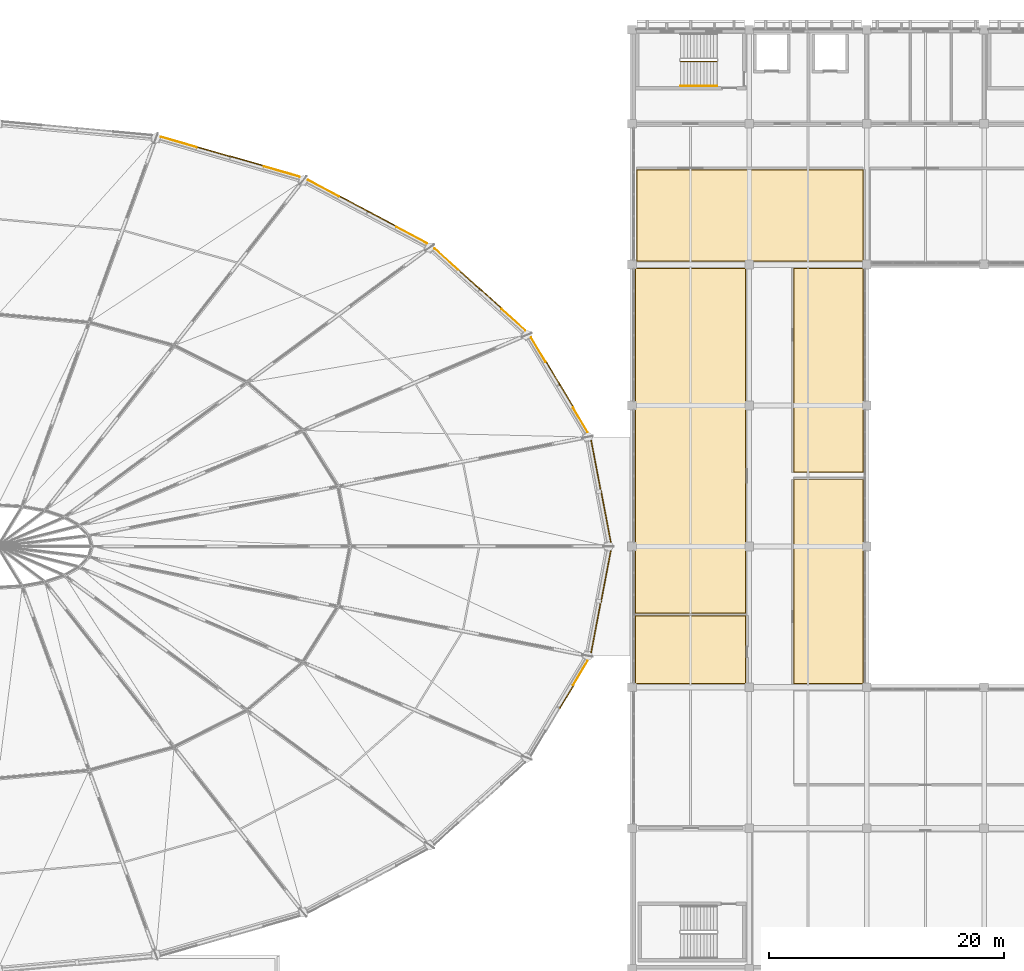
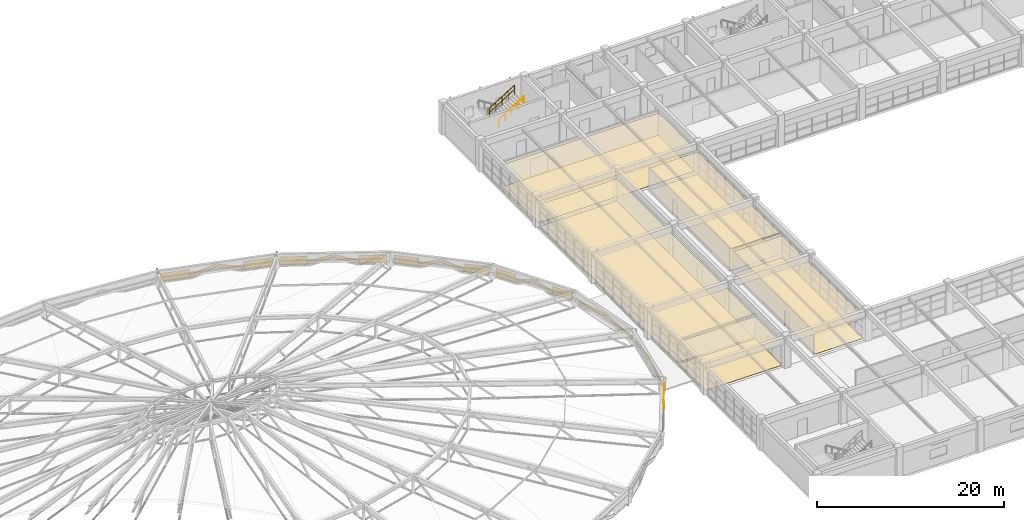
# One storey, part 78 of 83: 32 coverings, 2 railings.
"""IFC4 building model written with IfcOpenShell, lengths in metres."""

import ifcopenshell
import ifcopenshell.guid

model = None  # the IFC model being written
_history = None  # IfcOwnerHistory: only IFC2X3 demands one
_inside = {}  # id of a spatial element -> (the spatial element, [elements in it])
_under = {}  # id of a project, library or spatial element -> (it, [spatial elements below it])
_declared = {}  # id of a project -> (the project, [libraries it declares])
_typed = {}  # id of a type object -> (the type object, [elements of that type])
_made_of = {}  # id of a material, layer set ... -> (it, [elements and type objects made of it])


def new_model(schema):
    """Start an empty IFC model of exactly this schema.

    Asked for "IFC4X3", IfcOpenShell would pick the latest addendum, in which some entities
    have other attributes; the version numbers below select the first issue.
    IFC2X3 requires an IfcOwnerHistory on every rooted entity: one is made here for all.
    """
    global model, _history
    if schema == "IFC4X3":
        model = ifcopenshell.file(schema_version=(4, 3, 0, 0))
    else:
        model = ifcopenshell.file(schema=schema)
    _inside.clear()
    _under.clear()
    _declared.clear()
    _typed.clear()
    _made_of.clear()
    _history = None
    if model.schema == "IFC2X3":
        org = make("IfcOrganization", Name="unknown")
        user = make(
            "IfcPersonAndOrganization",
            ThePerson=make("IfcPerson", FamilyName="unknown"),
            TheOrganization=org,
        )
        app = make(
            "IfcApplication",
            ApplicationDeveloper=org,
            Version="unknown",
            ApplicationFullName="unknown",
            ApplicationIdentifier="unknown",
        )
        _history = make(
            "IfcOwnerHistory",
            OwningUser=user,
            OwningApplication=app,
            ChangeAction="ADDED",
            CreationDate=0,
        )
    return model


def make(cls, **values):
    """One entity of the class cls with the attributes given. An attribute that is None is left unset."""
    return model.create_entity(
        cls, **{name: value for name, value in values.items() if value is not None}
    )


def rooted(cls, **values):
    """An entity with a GlobalId (a new one), such as an element, a storey or a relation."""
    return make(cls, GlobalId=ifcopenshell.guid.new(), OwnerHistory=_history, **values)


def si_unit(unit_type, name, prefix=None):
    """IfcSIUnit, for example si_unit("LENGTHUNIT", "METRE", prefix="MILLI")."""
    return make("IfcSIUnit", UnitType=unit_type, Prefix=prefix, Name=name)


def assignment(units):
    """IfcUnitAssignment: the units of a project."""
    return None if units is None else make("IfcUnitAssignment", Units=units)


def point(xyz):
    """IfcCartesianPoint."""
    return None if xyz is None else make("IfcCartesianPoint", Coordinates=xyz)


def direction(xyz):
    """IfcDirection."""
    return None if xyz is None else make("IfcDirection", DirectionRatios=xyz)


def frame(location, z_axis=None, x_axis=None):
    """IfcAxis2Placement3D, a coordinate frame: its origin and axes. An axis left out is left unset."""
    return make(
        "IfcAxis2Placement3D",
        Location=point(location),
        Axis=direction(z_axis),
        RefDirection=direction(x_axis),
    )


def frame_2d(location, x_axis=None):
    """IfcAxis2Placement2D, a coordinate frame in the plane: its origin and x axis."""
    return make(
        "IfcAxis2Placement2D", Location=point(location), RefDirection=direction(x_axis)
    )


def origin():
    """The frame at (0, 0, 0) with its axes left unset."""
    return frame((0.0, 0.0, 0.0))


def origin_2d():
    """The frame at (0, 0) in the plane with its x axis left unset."""
    return frame_2d((0.0, 0.0))


def place(relative_to, where):
    """IfcLocalPlacement: puts the frame where relative to a parent placement (None: the world)."""
    return make(
        "IfcLocalPlacement", PlacementRelTo=relative_to, RelativePlacement=where
    )


def context(
    kind, dimensions, precision=None, world=None, true_north=None, identifier=None
):
    """IfcGeometricRepresentationContext, for example the 3D "Model" context."""
    return make(
        "IfcGeometricRepresentationContext",
        ContextIdentifier=identifier,
        ContextType=kind,
        CoordinateSpaceDimension=dimensions,
        Precision=precision,
        WorldCoordinateSystem=world,
        TrueNorth=true_north,
    )


def subcontext(parent, identifier, kind, view, scale=None):
    """IfcGeometricRepresentationSubContext, for example "Body" below "Model"."""
    return make(
        "IfcGeometricRepresentationSubContext",
        ContextIdentifier=identifier,
        ContextType=kind,
        ParentContext=parent,
        TargetScale=scale,
        TargetView=view,
    )


def project(units=None, contexts=None):
    """IfcProject with its units and contexts."""
    return rooted(
        "IfcProject",
        Name="project",
        RepresentationContexts=contexts,
        UnitsInContext=assignment(units),
    )


def spatial(cls, under=None, at=None, **own):
    """A site, building, storey or space (cls), placed at a placement, below another one or the project."""
    s = rooted(cls, ObjectPlacement=at, **own)
    if under is not None:
        _under.setdefault(under.id(), (under, []))[1].append(s)
    return s


def polyline(points):
    """IfcPolyline through the points."""
    return make("IfcPolyline", Points=[point(p) for p in points])


def profile(cls, at=None, kind="AREA", **sizes):
    """A parametric profile (cls). Its sizes go by their IFC names, for example OverallWidth=200.0."""
    return make(cls, ProfileType=kind, Position=at, **sizes)


def rectangle(**sizes):
    """IfcRectangleProfileDef."""
    return profile("IfcRectangleProfileDef", **sizes)


def circle(**sizes):
    """IfcCircleProfileDef."""
    return profile("IfcCircleProfileDef", **sizes)


def outline(outer, holes=None, kind="AREA"):
    """IfcArbitraryClosedProfileDef: a profile drawn as a closed curve; with holes, ...WithVoids."""
    if holes is None:
        return make("IfcArbitraryClosedProfileDef", ProfileType=kind, OuterCurve=outer)
    return make(
        "IfcArbitraryProfileDefWithVoids",
        ProfileType=kind,
        OuterCurve=outer,
        InnerCurves=holes,
    )


def extrude(swept, where, along, depth):
    """IfcExtrudedAreaSolid: the profile swept, set in the frame where, extruded along a direction by depth."""
    return make(
        "IfcExtrudedAreaSolid",
        SweptArea=swept,
        Position=where,
        ExtrudedDirection=direction(along),
        Depth=depth,
    )


def shape(context_of_items, identifier, shape_type, items):
    """IfcShapeRepresentation: the items that make up one representation, for example the "Body"."""
    return make(
        "IfcShapeRepresentation",
        ContextOfItems=context_of_items,
        RepresentationIdentifier=identifier,
        RepresentationType=shape_type,
        Items=items,
    )


def material(Name=None, Category=None):
    """IfcMaterial."""
    return make("IfcMaterial", Name=Name, Category=Category)


def layer(
    of_material, thickness, ventilated=None, Name=None, Category=None, Priority=None
):
    """IfcMaterialLayer: one layer of a wall or slab, of a material (None: an air gap)."""
    return make(
        "IfcMaterialLayer",
        Material=of_material,
        LayerThickness=thickness,
        IsVentilated=ventilated,
        Name=Name,
        Category=Category,
        Priority=Priority,
    )


def layer_set(layers, Name=None):
    """IfcMaterialLayerSet."""
    return make("IfcMaterialLayerSet", MaterialLayers=layers, LayerSetName=Name)


def made_of(thing, what):
    """Note that an element or type object is made of a material, layer set ...; save() writes the relation."""
    if what is not None:
        _made_of.setdefault(what.id(), (what, []))[1].append(thing)
    return thing


def type_object(cls, material=None, **own):
    """A type object (cls), such as IfcWallType, which elements share."""
    return made_of(rooted(cls, **own), material)


def element(
    cls,
    number,
    at=None,
    inside=None,
    cuts=None,
    type_object=None,
    material=None,
    context=None,
    identifier="Body",
    shape_type=None,
    held_by="IfcProductDefinitionShape",
    body=None,
    shapes=None,
    **own,
):
    """One element of the class cls, such as IfcWall. Its Tag is "e" and its number.

    at: its placement. inside: the storey or other place that contains it. cuts: it is an
    opening in that element (IfcRelVoidsElement). A single representation is given by context,
    identifier, shape_type and body (its items); several are given by shapes. held_by: the class
    of the entity that holds the representations. save() writes the other relations.
    """
    e = rooted(cls, Tag="e%d" % number, ObjectPlacement=at, **own)
    if body is not None:
        shapes = [shape(context, identifier, shape_type, body)]
    if shapes is not None:
        e.Representation = make(held_by, Representations=shapes)
    if inside is not None:
        _inside.setdefault(inside.id(), (inside, []))[1].append(e)
    if cuts is not None:
        rooted(
            "IfcRelVoidsElement", RelatingBuildingElement=cuts, RelatedOpeningElement=e
        )
    if type_object is not None:
        _typed.setdefault(type_object.id(), (type_object, []))[1].append(e)
    return made_of(e, material)


def aggregate(whole, parts):
    """IfcRelAggregates: a whole, such as a stair, and the parts it consists of."""
    return rooted("IfcRelAggregates", RelatingObject=whole, RelatedObjects=parts)


def save(model, path):
    """Write the relations noted so far, then the file.

    IfcRelAggregates (storeys below a building ...), IfcRelContainedInSpatialStructure (elements
    in a storey), IfcRelDefinesByType, IfcRelAssociatesMaterial and IfcRelDeclares: one each for
    every whole, place, type object, material and project.
    """
    for whole, parts in _under.values():
        aggregate(whole, parts)
    for where, things in _inside.values():
        rooted(
            "IfcRelContainedInSpatialStructure",
            RelatedElements=things,
            RelatingStructure=where,
        )
    for kind, things in _typed.values():
        rooted("IfcRelDefinesByType", RelatedObjects=things, RelatingType=kind)
    for what, things in _made_of.values():
        rooted("IfcRelAssociatesMaterial", RelatedObjects=things, RelatingMaterial=what)
    for by, libraries in _declared.values():
        rooted("IfcRelDeclares", RelatingContext=by, RelatedDefinitions=libraries)
    model.write(path)


model = new_model("IFC4")

# Units and contexts
model_context = context("Model", 3, precision=1e-05, world=origin(), true_north=direction((0.0, 1.0)))
body_context = subcontext(model_context, "Body", "Model", "MODEL_VIEW")
ifc_project = project(units=[si_unit("LENGTHUNIT", "METRE"), si_unit("AREAUNIT", "SQUARE_METRE"), si_unit("VOLUMEUNIT", "CUBIC_METRE"), si_unit("PLANEANGLEUNIT", "RADIAN"), si_unit("MASSUNIT", "GRAM", prefix="KILO")], contexts=[model_context])

# Site, building, storey
site_placement = place(None, origin())
site = spatial("IfcSite", under=ifc_project, at=site_placement, CompositionType="ELEMENT")
building_placement = place(site_placement, origin())
building = spatial("IfcBuilding", under=site, at=building_placement, Name="Kivolera Central Railway Station", CompositionType="ELEMENT")
storey_placement = place(building_placement, frame((0.0, 0.0, 14.39990234375)))
storey = spatial("IfcBuildingStorey", under=building, at=storey_placement, Name="L03", CompositionType="ELEMENT", Elevation=14.39990234375)

# Coverings
ifc_material_1 = material(Name="Mineral fibre acoustic tile")
ifc_layer_1 = layer(ifc_material_1, 0.02001953125, Name="Mineral fibre acoustic tile")
ifc_layer_set_1 = layer_set([ifc_layer_1], Name="Mineral fibre acoustic tile")
covering_type_1 = type_object("IfcCoveringType", Name="COV-CEIL-20", PredefinedType="CEILING", material=ifc_layer_set_1)
covering_1_placement = place(storey_placement, frame((0.0, 0.0, 2.85009765625)))
element("IfcCovering", 1, at=covering_1_placement, inside=storey, type_object=covering_type_1, Name="L03 Civic Refreshment Pantry Cafe Acoustic Ceiling", PredefinedType="CEILING", context=body_context, shape_type="SweptSolid", body=[
    extrude(outline(polyline([(118.280029296875, 78.280029296875), (127.719970703125, 78.280029296875), (127.719970703125, 84.1201171875), (118.280029296875, 84.1201171875), (118.280029296875, 78.280029296875)])), origin(), (0.0, 0.0, 1.0), 0.02001953125),
])
ifc_material_2 = material(Name="Hardwood mvule timber", Category="wood")
ifc_layer_2 = layer(ifc_material_2, 0.02490234375, Name="Hardwood mvule timber")
ifc_layer_set_2 = layer_set([ifc_layer_2], Name="Hardwood mvule timber")
covering_type_2 = type_object("IfcCoveringType", Name="COV-CEIL-25", PredefinedType="CEILING", material=ifc_layer_set_2)
covering_2_placement = place(storey_placement, frame((0.0, 0.0, 2.85009765625)))
element("IfcCovering", 2, at=covering_2_placement, inside=storey, type_object=covering_type_2, Name="L03 Kivolera Civic Community Meeting Room Acoustic Ceiling", PredefinedType="CEILING", context=body_context, shape_type="SweptSolid", body=[
    extrude(outline(polyline([(118.3798828125, 114.280029296875), (137.719970703125, 114.280029296875), (137.719970703125, 122.1201171875), (118.3798828125, 122.1201171875), (118.3798828125, 114.280029296875)])), origin(), (0.0, 0.0, 1.0), 0.02490234375),
])
covering_3_placement = place(storey_placement, frame((0.0, 0.0, 2.85009765625)))
element("IfcCovering", 3, at=covering_3_placement, inside=storey, type_object=covering_type_2, Name="L03 Community Workshop Studio Acoustic Ceiling", PredefinedType="CEILING", context=body_context, shape_type="SweptSolid", body=[
    extrude(outline(polyline([(131.780029296875, 78.280029296875), (137.719970703125, 78.280029296875), (137.719970703125, 95.719970703125), (131.780029296875, 95.719970703125), (131.780029296875, 78.280029296875)])), origin(), (0.0, 0.0, 1.0), 0.02490234375),
])
ifc_layer_3 = layer(ifc_material_1, 0.030029296875, Name="Mineral fibre acoustic tile")
ifc_layer_set_3 = layer_set([ifc_layer_3], Name="Mineral fibre acoustic tile")
covering_type_3 = type_object("IfcCoveringType", Name="COV-CEIL-30", PredefinedType="CEILING", material=ifc_layer_set_3)
covering_4_placement = place(storey_placement, frame((0.0, 0.0, 2.85009765625)))
element("IfcCovering", 4, at=covering_4_placement, inside=storey, type_object=covering_type_3, Name="L03 Passenger Quiet Reading Lounge Acoustic Ceiling", PredefinedType="CEILING", context=body_context, shape_type="SweptSolid", body=[
    extrude(outline(polyline([(118.280029296875, 84.280029296875), (127.719970703125, 84.280029296875), (127.719970703125, 113.719970703125), (118.280029296875, 113.719970703125), (118.280029296875, 84.280029296875)])), origin(), (0.0, 0.0, 1.0), 0.030029296875),
])
covering_5_placement = place(storey_placement, frame((0.0, 0.0, 2.85009765625)))
element("IfcCovering", 5, at=covering_5_placement, inside=storey, type_object=covering_type_3, Name="L03 Urban Mobility Seminar Classroom Acoustic Ceiling", PredefinedType="CEILING", context=body_context, shape_type="SweptSolid", body=[
    extrude(outline(polyline([(131.780029296875, 96.280029296875), (137.719970703125, 96.280029296875), (137.719970703125, 113.719970703125), (131.780029296875, 113.719970703125), (131.780029296875, 96.280029296875)])), origin(), (0.0, 0.0, 1.0), 0.030029296875),
])
ifc_material_3 = material(Name="Precast concrete C40/50", Category="concrete")
ifc_layer_4 = layer(ifc_material_3, 0.090087890625, Name="Precast concrete C40/50")
ifc_layer_set_4 = layer_set([ifc_layer_4], Name="Precast concrete C40/50")
covering_type_4 = type_object("IfcCoveringType", Name="COV-CLAUSTRA-90", PredefinedType="CLADDING", material=ifc_layer_set_4)
for number, where, z_axis, x_axis, name in (
    (6, (115.778076171875, 92.531005859375, 0.59814453125), (-0.184568159046, 0.970108248243, 0.157558184039), (0.982390210999, 0.18684077, 0.0), "Oval Lantern Arch Spandrel Extrados Trim 01.1"),
    (7, (114.950927734375, 96.881103515625, 0.59814453125), (-0.184568159046, 0.970108248243, -0.157558184039), (0.982390210999, 0.18684077, 0.0), "Oval Lantern Arch Spandrel Extrados Trim 01.2"),
):
    element("IfcCovering", number, at=place(storey_placement, frame(where, z_axis=z_axis, x_axis=x_axis)), inside=storey, type_object=covering_type_4, Name=name, PredefinedType="CLADDING", context=body_context, shape_type="SweptSolid", body=[
        extrude(rectangle(XDim=0.090087890625, YDim=0.3798828125, at=origin_2d()), frame((0.0, 0.0, -2.2216796875)), (0.0, 0.0, 1.0), 4.443115234375),
    ])
for number, where, z_axis, x_axis, name in (
    (8, (112.4541015625, 102.779052734375, 0.731201171875), (-0.477101957855, 0.797089306757, 0.370165312887), (0.858137550629, 0.513419851778, 0.0), "Oval Lantern Arch Spandrel Extrados Trim 02.3"),
    (9, (111.2451171875, 104.800048828125, 0.731201171875), (-0.476784191777, 0.797245697627, -0.370237939827), (0.858137550629, 0.513419851778, 0.0), "Oval Lantern Arch Spandrel Extrados Trim 02.4"),
):
    element("IfcCovering", number, at=place(storey_placement, frame(where, z_axis=z_axis, x_axis=x_axis)), inside=storey, type_object=covering_type_4, Name=name, PredefinedType="CLADDING", context=body_context, shape_type="SweptSolid", body=[
        extrude(rectangle(XDim=0.090087890625, YDim=0.3798828125, at=origin_2d()), frame((0.0, 0.0, -1.21533203125)), (0.0, 0.0, 1.0), 2.430908203125),
    ])
for number, where, z_axis, x_axis, name in (
    (10, (106.033935546875, 111.050048828125, 0.732177734375), (-0.698689607825, 0.630212758842, 0.338621780915), (0.669922245859, 0.742431265844, 0.0), "Oval Lantern Arch Spandrel Extrados Trim 03.3"),
    (11, (104.111083984375, 112.783935546875, 0.732177734375), (-0.698689607825, 0.630212758842, -0.338621780915), (0.669922245859, 0.742431265844, 0.0), "Oval Lantern Arch Spandrel Extrados Trim 03.4"),
):
    element("IfcCovering", number, at=place(storey_placement, frame(where, z_axis=z_axis, x_axis=x_axis)), inside=storey, type_object=covering_type_4, Name=name, PredefinedType="CLADDING", context=body_context, shape_type="SweptSolid", body=[
        extrude(rectangle(XDim=0.090087890625, YDim=0.3798828125, at=origin_2d()), frame((0.0, 0.0, -1.3291015625)), (0.0, 0.0, 1.0), 2.657958984375),
    ])
for number, where, z_axis, x_axis, name in (
    (12, (96.757080078125, 117.8759765625, 0.734130859375), (-0.839601563438, 0.445833602232, 0.310325013162), (0.469119253064, 0.88313482912, 0.0), "Oval Lantern Arch Spandrel Extrados Trim 04.3"),
    (13, (94.251953125, 119.20703125, 0.734130859375), (-0.839370630004, 0.446238946002, -0.310367119002), (0.469119253064, 0.88313482912, 0.0), "Oval Lantern Arch Spandrel Extrados Trim 04.4"),
):
    element("IfcCovering", number, at=place(storey_placement, frame(where, z_axis=z_axis, x_axis=x_axis)), inside=storey, type_object=covering_type_4, Name=name, PredefinedType="CLADDING", context=body_context, shape_type="SweptSolid", body=[
        extrude(rectangle(XDim=0.090087890625, YDim=0.3798828125, at=origin_2d()), frame((0.0, 0.0, -1.449951171875)), (0.0, 0.0, 1.0), 2.89990234375),
    ])
for number, where, z_axis, x_axis, name in (
    (14, (85.260009765625, 122.801025390625, 0.734130859375), (-0.919713439261, 0.263698583075, 0.290844025083), (0.275632123108, 0.961263196378, 0.0), "Oval Lantern Arch Spandrel Extrados Trim 05.3"),
    (15, (82.341064453125, 123.637939453125, 0.734130859375), (-0.919713439261, 0.263698583075, -0.290844025083), (0.275632123108, 0.961263196378, 0.0), "Oval Lantern Arch Spandrel Extrados Trim 05.4"),
):
    element("IfcCovering", number, at=place(storey_placement, frame(where, z_axis=z_axis, x_axis=x_axis)), inside=storey, type_object=covering_type_4, Name=name, PredefinedType="CLADDING", context=body_context, shape_type="SweptSolid", body=[
        extrude(rectangle(XDim=0.090087890625, YDim=0.3798828125, at=origin_2d()), frame((0.0, 0.0, -1.546875)), (0.0, 0.0, 1.0), 3.093994140625),
    ])
covering_6_placement = place(storey_placement, frame((112.4541015625, 77.220947265625, 0.731201171875), z_axis=(0.477101957855, 0.797089306757, -0.370165312887), x_axis=(0.858137550629, -0.513419851778, 0.0)))
element("IfcCovering", 16, at=covering_6_placement, inside=storey, type_object=covering_type_4, Name="Oval Lantern Arch Spandrel Extrados Trim 23.4", PredefinedType="CLADDING", context=body_context, shape_type="SweptSolid", body=[
    extrude(rectangle(XDim=0.090087890625, YDim=0.3798828125, at=origin_2d()), frame((0.0, 0.0, -1.21533203125)), (0.0, 0.0, 1.0), 2.430908203125),
])
for number, where, z_axis, x_axis, name in (
    (17, (114.950927734375, 83.118896484375, 0.59814453125), (0.184568159046, 0.970108248243, 0.157558184039), (0.982390210999, -0.18684077, 0.0), "Oval Lantern Arch Spandrel Extrados Trim 24.1"),
    (18, (115.778076171875, 87.468994140625, 0.59814453125), (0.184568159046, 0.970108248243, -0.157558184039), (0.982390210999, -0.18684077, 0.0), "Oval Lantern Arch Spandrel Extrados Trim 24.2"),
):
    element("IfcCovering", number, at=place(storey_placement, frame(where, z_axis=z_axis, x_axis=x_axis)), inside=storey, type_object=covering_type_4, Name=name, PredefinedType="CLADDING", context=body_context, shape_type="SweptSolid", body=[
        extrude(rectangle(XDim=0.090087890625, YDim=0.3798828125, at=origin_2d()), frame((0.0, 0.0, -2.2216796875)), (0.0, 0.0, 1.0), 4.443115234375),
    ])
ifc_material_4 = material(Name="Terracotta clay tile", Category="masonry")
ifc_layer_5 = layer(ifc_material_4, 0.02197265625, Name="Terracotta clay tile")
ifc_layer_set_5 = layer_set([ifc_layer_5], Name="Terracotta clay tile")
covering_type_5 = type_object("IfcCoveringType", Name="COV-FLR-22", PredefinedType="FLOORING", material=ifc_layer_set_5)
covering_7_placement = place(storey_placement, origin())
element("IfcCovering", 19, at=covering_7_placement, inside=storey, type_object=covering_type_5, Name="L03 Kivolera Civic Community Meeting Room Floor Finish", PredefinedType="FLOORING", context=body_context, shape_type="SweptSolid", body=[
    extrude(outline(polyline([(118.419921875, 114.320068359375), (137.679931640625, 114.320068359375), (137.679931640625, 122.080078125), (118.419921875, 122.080078125), (118.419921875, 114.320068359375)])), origin(), (0.0, 0.0, 1.0), 0.022216796875),
])
covering_8_placement = place(storey_placement, origin())
element("IfcCovering", 20, at=covering_8_placement, inside=storey, type_object=covering_type_5, Name="L03 Passenger Quiet Reading Lounge Floor Finish", PredefinedType="FLOORING", context=body_context, shape_type="SweptSolid", body=[
    extrude(outline(polyline([(118.320068359375, 84.320068359375), (127.679931640625, 84.320068359375), (127.679931640625, 113.679931640625), (118.320068359375, 113.679931640625), (118.320068359375, 84.320068359375)])), origin(), (0.0, 0.0, 1.0), 0.022216796875),
])
covering_9_placement = place(storey_placement, origin())
element("IfcCovering", 21, at=covering_9_placement, inside=storey, type_object=covering_type_5, Name="L03 Civic Refreshment Pantry Cafe Floor Finish", PredefinedType="FLOORING", context=body_context, shape_type="SweptSolid", body=[
    extrude(outline(polyline([(118.320068359375, 78.320068359375), (127.679931640625, 78.320068359375), (127.679931640625, 84.080078125), (118.320068359375, 84.080078125), (118.320068359375, 78.320068359375)])), origin(), (0.0, 0.0, 1.0), 0.022216796875),
])
covering_10_placement = place(storey_placement, origin())
element("IfcCovering", 22, at=covering_10_placement, inside=storey, type_object=covering_type_5, Name="L03 Community Workshop Studio Floor Finish", PredefinedType="FLOORING", context=body_context, shape_type="SweptSolid", body=[
    extrude(outline(polyline([(131.820068359375, 78.320068359375), (137.679931640625, 78.320068359375), (137.679931640625, 95.679931640625), (131.820068359375, 95.679931640625), (131.820068359375, 78.320068359375)])), origin(), (0.0, 0.0, 1.0), 0.022216796875),
])
covering_11_placement = place(storey_placement, origin())
element("IfcCovering", 23, at=covering_11_placement, inside=storey, type_object=covering_type_5, Name="L03 Urban Mobility Seminar Classroom Floor Finish", PredefinedType="FLOORING", context=body_context, shape_type="SweptSolid", body=[
    extrude(outline(polyline([(131.820068359375, 96.320068359375), (137.679931640625, 96.320068359375), (137.679931640625, 113.679931640625), (131.820068359375, 113.679931640625), (131.820068359375, 96.320068359375)])), origin(), (0.0, 0.0, 1.0), 0.022216796875),
])
ifc_layer_6 = layer(ifc_material_4, 0.044921875, Name="Terracotta clay tile")
ifc_layer_set_6 = layer_set([ifc_layer_6], Name="Terracotta clay tile")
covering_type_6 = type_object("IfcCoveringType", Name="COV-TERRACOTTA-45", PredefinedType="CLADDING", material=ifc_layer_set_6)
for number, where, z_axis, x_axis, name in (
    (24, (112.97412109375, 101.8310546875, 0.16015625), (0.0, 0.0, 1.0), (0.51340920348, -0.858143921369, 0.0), "Oval Lantern Arch Spandrel Tympanum Cladding 02L"),
    (25, (109.39990234375, 107.805908203125, 0.16015625), (0.0, 0.0, 1.0), (0.513526675005, -0.858073629742, 0.0), "Oval Lantern Arch Spandrel Tympanum Cladding 02R"),
):
    element("IfcCovering", number, at=place(storey_placement, frame(where, z_axis=z_axis, x_axis=x_axis)), inside=storey, type_object=covering_type_6, Name=name, PredefinedType="CLADDING", context=body_context, shape_type="SweptSolid", body=[
        extrude(rectangle(XDim=2.446044921875, YDim=0.044921875, at=frame_2d((1.22314453125, 0.0))), origin(), (0.0, 0.0, 1.0), 1.06005859375),
    ])
for number, where, z_axis, x_axis, name in (
    (26, (106.902099609375, 110.2119140625, 0.16015625), (0.0, 0.0, 1.0), (0.742365783712, -0.669994808318, 0.0), "Oval Lantern Arch Spandrel Tympanum Cladding 03L"),
    (27, (101.177978515625, 115.3779296875, 0.16015625), (0.0, 0.0, 1.0), (0.742365783712, -0.669994808318, 0.0), "Oval Lantern Arch Spandrel Tympanum Cladding 03R"),
):
    element("IfcCovering", number, at=place(storey_placement, frame(where, z_axis=z_axis, x_axis=x_axis)), inside=storey, type_object=covering_type_6, Name=name, PredefinedType="CLADDING", context=body_context, shape_type="SweptSolid", body=[
        extrude(rectangle(XDim=2.708984375, YDim=0.044921875, at=frame_2d((1.3544921875, 0.0))), origin(), (0.0, 0.0, 1.0), 1.06005859375),
    ])
covering_12_placement = place(storey_placement, frame((97.919921875, 117.212890625, 0.16015625), z_axis=(0.0, 0.0, 1.0), x_axis=(0.883116778071, -0.469153233272, 0.0)))
element("IfcCovering", 28, at=covering_12_placement, inside=storey, type_object=covering_type_6, Name="Oval Lantern Arch Spandrel Tympanum Cladding 04L", PredefinedType="CLADDING", context=body_context, shape_type="SweptSolid", body=[
    extrude(rectangle(XDim=2.986083984375, YDim=0.044921875, at=frame_2d((1.4931640625, 0.0))), origin(), (0.0, 0.0, 1.0), 1.06005859375),
])
covering_13_placement = place(storey_placement, frame((90.4140625, 121.199951171875, 0.16015625), z_axis=(0.0, 0.0, 1.0), x_axis=(0.883188732157, -0.469017764472, 0.0)))
element("IfcCovering", 29, at=covering_13_placement, inside=storey, type_object=covering_type_6, Name="Oval Lantern Arch Spandrel Tympanum Cladding 04R", PredefinedType="CLADDING", context=body_context, shape_type="SweptSolid", body=[
    extrude(rectangle(XDim=2.98681640625, YDim=0.044921875, at=frame_2d((1.493408203125, 0.0))), origin(), (0.0, 0.0, 1.0), 1.06005859375),
])
for number, where, z_axis, x_axis, name in (
    (30, (86.635009765625, 122.365966796875, 0.16015625), (0.0, 0.0, 1.0), (0.961262114071, -0.275635897612, 0.0), "Oval Lantern Arch Spandrel Tympanum Cladding 05L"),
    (31, (77.860107421875, 124.882080078125, 0.16015625), (0.0, 0.0, 1.0), (0.961262114071, -0.275635897612, 0.0), "Oval Lantern Arch Spandrel Tympanum Cladding 05R"),
):
    element("IfcCovering", number, at=place(storey_placement, frame(where, z_axis=z_axis, x_axis=x_axis)), inside=storey, type_object=covering_type_6, Name=name, PredefinedType="CLADDING", context=body_context, shape_type="SweptSolid", body=[
        extrude(rectangle(XDim=3.207275390625, YDim=0.044921875, at=frame_2d((1.603515625, 0.0))), origin(), (0.0, 0.0, 1.0), 1.06005859375),
    ])
covering_14_placement = place(storey_placement, frame((114.22998046875, 80.26806640625, 0.16015625), z_axis=(0.0, 0.0, 1.0), x_axis=(-0.51340920348, -0.858143921369, 0.0)))
element("IfcCovering", 32, at=covering_14_placement, inside=storey, type_object=covering_type_6, Name="Oval Lantern Arch Spandrel Tympanum Cladding 23R", PredefinedType="CLADDING", context=body_context, shape_type="SweptSolid", body=[
    extrude(rectangle(XDim=2.446044921875, YDim=0.044921875, at=frame_2d((1.22314453125, 0.0))), origin(), (0.0, 0.0, 1.0), 1.06005859375),
])

# Railings
ifc_material_5 = material(Name="Anodised aluminium", Category="aluminium")
ifc_layer_7 = layer(ifc_material_5, 0.048095703125, Name="Anodised aluminium")
ifc_layer_set_7 = layer_set([ifc_layer_7], Name="Anodised aluminium")
railing_type_1 = type_object("IfcRailingType", Name="RL-STAIR-GUARD", PredefinedType="GUARDRAIL", material=ifc_layer_set_7)
railing_1_placement = place(storey_placement, frame((122.159912109375, 131.2900390625, 2.275146484375)))
element("IfcRailing", 33, at=railing_1_placement, inside=storey, type_object=railing_type_1, Name="L03 ST1 stair guard 3", PredefinedType="GUARDRAIL", context=body_context, shape_type="SweptSolid", body=[
    extrude(circle(Radius=0.02392578125, at=origin_2d()), frame((0.0, 0.0, 1.10595703125), z_axis=(0.847998304005, 0.0, 0.529998940003), x_axis=(0.0, 1.0, 0.0)), (0.0, 0.0, 1.0), 3.632080078125),
    extrude(circle(Radius=0.02392578125, at=origin_2d()), frame((0.0, 0.0, 0.56494140625), z_axis=(0.847998304005, 0.0, 0.529998940003), x_axis=(0.0, 1.0, 0.0)), (0.0, 0.0, 1.0), 3.632080078125),
    extrude(circle(Radius=0.02099609375, at=origin_2d()), origin(), (0.0, 0.0, 1.0), 1.081787109375),
    extrude(circle(Radius=0.02099609375, at=origin_2d()), frame((0.77001953125, 0.0, 0.481201171875)), (0.0, 0.0, 1.0), 1.081787109375),
    extrude(circle(Radius=0.02099609375, at=origin_2d()), frame((1.5400390625, 0.0, 0.96240234375)), (0.0, 0.0, 1.0), 1.081787109375),
    extrude(circle(Radius=0.02099609375, at=origin_2d()), frame((2.31005859375, 0.0, 1.44384765625)), (0.0, 0.0, 1.0), 1.081787109375),
    extrude(circle(Radius=0.02099609375, at=origin_2d()), frame((3.080078125, 0.0, 1.925048828125)), (0.0, 0.0, 1.0), 1.081787109375),
])
ifc_layer_8 = layer(ifc_material_5, 0.048095703125, Name="Anodised aluminium")
ifc_layer_set_8 = layer_set([ifc_layer_8], Name="Anodised aluminium")
railing_type_2 = type_object("IfcRailingType", Name="RL-STAIR-HAND", PredefinedType="HANDRAIL", material=ifc_layer_set_8)
railing_2_placement = place(storey_placement, frame((122.159912109375, 129.22998046875, 2.275146484375)))
element("IfcRailing", 34, at=railing_2_placement, inside=storey, type_object=railing_type_2, Name="L03 ST1 stair handrail 2", PredefinedType="HANDRAIL", context=body_context, shape_type="SweptSolid", body=[
    extrude(circle(Radius=0.02392578125, at=origin_2d()), frame((0.0, 0.0, 0.8759765625), z_axis=(0.847998304005, 0.0, 0.529998940003), x_axis=(0.0, 1.0, 0.0)), (0.0, 0.0, 1.0), 3.632080078125),
    extrude(circle(Radius=0.02099609375, at=origin_2d()), origin(), (0.0, 0.0, 1.0), 0.851806640625),
    extrude(circle(Radius=0.02099609375, at=origin_2d()), frame((0.77001953125, 0.0, 0.481201171875)), (0.0, 0.0, 1.0), 0.851806640625),
    extrude(circle(Radius=0.02099609375, at=origin_2d()), frame((1.5400390625, 0.0, 0.96240234375)), (0.0, 0.0, 1.0), 0.851806640625),
    extrude(circle(Radius=0.02099609375, at=origin_2d()), frame((2.31005859375, 0.0, 1.44384765625)), (0.0, 0.0, 1.0), 0.851806640625),
    extrude(circle(Radius=0.02099609375, at=origin_2d()), frame((3.080078125, 0.0, 1.925048828125)), (0.0, 0.0, 1.0), 0.851806640625),
])

save(model, "model.ifc")
